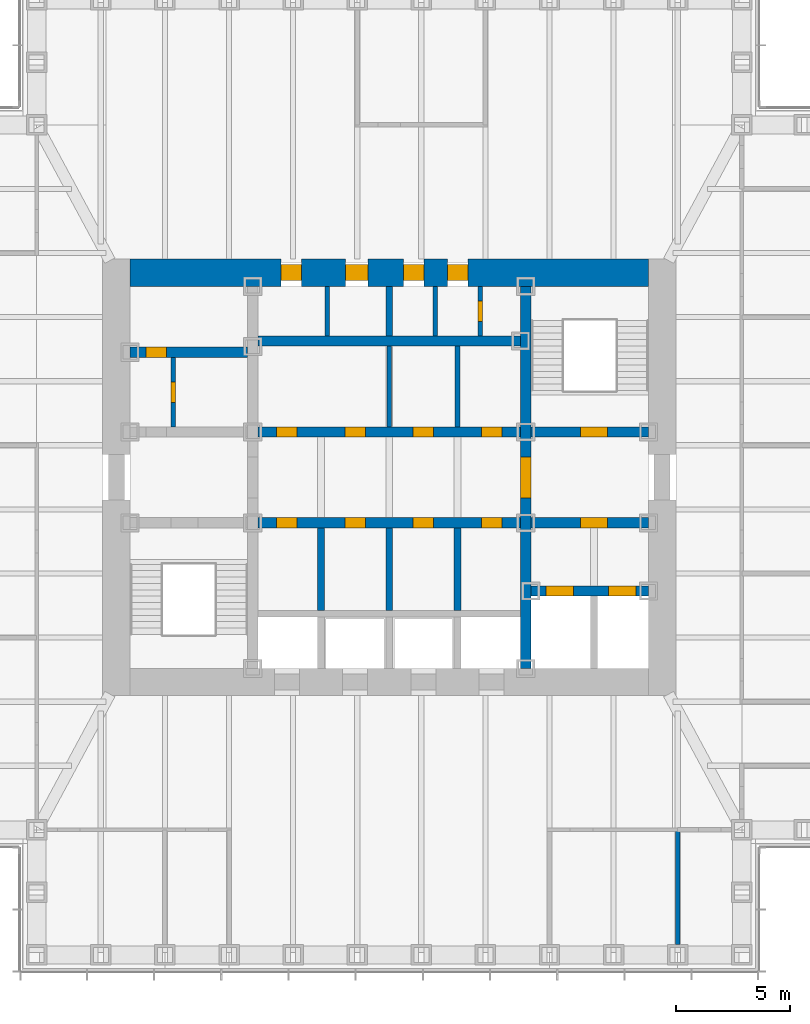
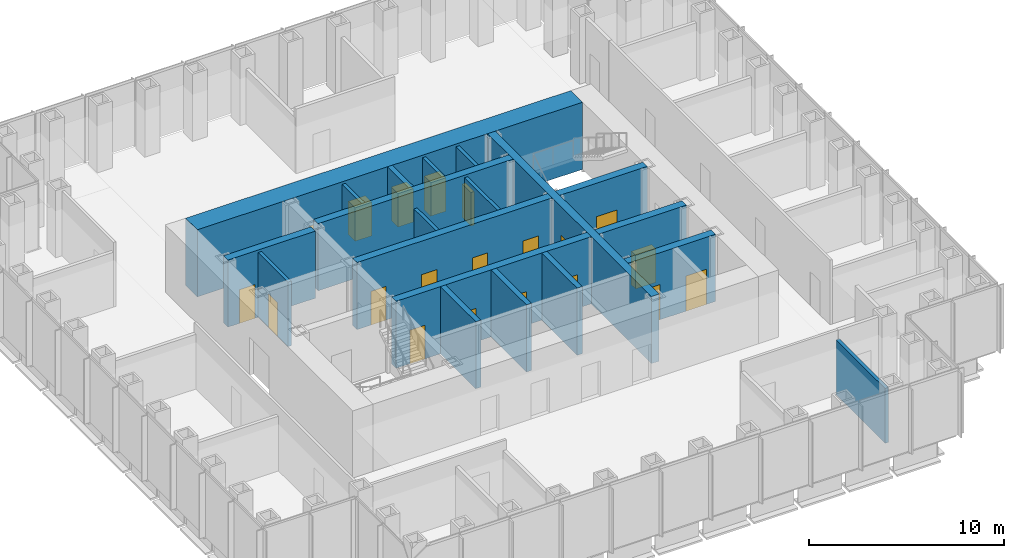
# One storey, part 9 of 16: 20 doors, 20 walls, 20 openings.
"""IFC4 building model written with IfcOpenShell, lengths in metres."""

from ifc_helpers import new_model, si_unit, direction, frame, frame_2d, origin, place, context, subcontext, project, spatial, rectangle, extrude, material, layer, layer_set, type_object, element, fill, save


model = new_model("IFC4")

# Units and contexts
model_context = context("Model", 3, precision=1e-05, world=origin(), true_north=direction((0.0, 1.0)))
body_context = subcontext(model_context, "Body", "Model", "MODEL_VIEW")
ifc_project = project(units=[si_unit("LENGTHUNIT", "METRE"), si_unit("AREAUNIT", "SQUARE_METRE"), si_unit("VOLUMEUNIT", "CUBIC_METRE"), si_unit("PLANEANGLEUNIT", "RADIAN"), si_unit("MASSUNIT", "GRAM", prefix="KILO")], contexts=[model_context])

# Site, building, storey
site_placement = place(None, origin())
site = spatial("IfcSite", under=ifc_project, at=site_placement, CompositionType="ELEMENT")
building_placement = place(site_placement, origin())
building = spatial("IfcBuilding", under=site, at=building_placement, Name="Daluyong Arena Tower", CompositionType="ELEMENT")
storey_placement = place(building_placement, frame((0.0, 0.0, 202.300048828125)))
storey = spatial("IfcBuildingStorey", under=building, at=storey_placement, Name="L45", CompositionType="ELEMENT", Elevation=202.300048828125)

# Wall, opening, door
ifc_material_1 = material(Name="Concrete fc' 45 MPa", Category="concrete")
ifc_layer_1 = layer(ifc_material_1, 0.449951171875)
ifc_layer_set_1 = layer_set([ifc_layer_1], Name="Concrete fc' 45 MPa")
wall_type_1 = type_object("IfcWallType", Name="Core inner wall 450", PredefinedType="SHEAR", material=ifc_layer_set_1)
wall_1_placement = place(storey_placement, frame((62.0, 71.60009765625, 0.0), z_axis=(0.0, 0.0, 1.0), x_axis=(0.0, 1.0, 0.0)))
wall_1 = element("IfcWall", 1, at=wall_1_placement, inside=storey, type_object=wall_type_1, Name="core inner wall at L45", PredefinedType="SHEAR", context=body_context, shape_type="SweptSolid", body=[
    extrude(rectangle(XDim=16.7998046875, YDim=0.449951171875, at=frame_2d((8.39990234375, 0.0))), origin(), (0.0, 0.0, 1.0), 4.199951171875),
])
opening_1_placement = place(wall_1_placement, frame((7.5, 0.0, 0.0)))
opening_1 = element("IfcOpeningElement", 2, at=opening_1_placement, cuts=wall_1, Name="Opening 45022", PredefinedType="OPENING", context=body_context, shape_type="SweptSolid", body=[
    extrude(rectangle(XDim=1.800048828125, YDim=2.39990234375, at=frame_2d((0.89990234375, 1.199951171875))), frame((0.0, 0.23486328125, 0.0), z_axis=(0.0, -1.0, 0.0), x_axis=(1.0, 0.0, 0.0)), (0.0, 0.0, 1.0), 0.469970703125),
])
ifc_material_2 = material(Name="Steel door, fire rated", Category="steel")
door_type_1 = type_object("IfcDoorType", Name="Lift lobby opening door 1800", OperationType="DOUBLE_DOOR_SINGLE_SWING", PredefinedType="DOOR", material=ifc_material_2)
door_1_placement = place(opening_1_placement, origin())
door_1 = element("IfcDoor", 3, at=door_1_placement, inside=storey, type_object=door_type_1, Name="lift lobby door east 45022", OperationType="DOUBLE_DOOR_SINGLE_SWING", OverallHeight=2.39990234375, OverallWidth=1.800048828125, PredefinedType="DOOR", context=body_context, shape_type="SweptSolid", body=[
    extrude(rectangle(XDim=1.800048828125, YDim=2.39990234375, at=frame_2d((0.89990234375, 1.199951171875))), frame((0.0, 0.224609375, 0.0), z_axis=(0.0, -1.0, 0.0), x_axis=(1.0, 0.0, 0.0)), (0.0, 0.0, 1.0), 0.449462890625),
])
fill(opening_1, door_1)

wall_2_placement = place(storey_placement, frame((44.60009765625, 85.5, 0.0), z_axis=(0.0, 0.0, 1.0), x_axis=(1.0, 0.0, 0.0)))
wall_2 = element("IfcWall", 4, at=wall_2_placement, inside=storey, type_object=wall_type_1, Name="core inner wall at L45", PredefinedType="SHEAR", context=body_context, shape_type="SweptSolid", body=[
    extrude(rectangle(XDim=5.1748046875, YDim=0.449951171875, at=frame_2d((2.58740234375, 0.0))), origin(), (0.0, 0.0, 1.0), 4.199951171875),
])
opening_2_placement = place(wall_2_placement, frame((0.699951171875, 0.0, 0.0)))
opening_2 = element("IfcOpeningElement", 5, at=opening_2_placement, cuts=wall_2, Name="Opening 45003", PredefinedType="OPENING", context=body_context, shape_type="SweptSolid", body=[
    extrude(rectangle(XDim=0.89990234375, YDim=2.10009765625, at=frame_2d((0.449951171875, 1.050048828125))), frame((0.0, 0.23486328125, 0.0), z_axis=(0.0, -1.0, 0.0), x_axis=(1.0, 0.0, 0.0)), (0.0, 0.0, 1.0), 0.469970703125),
])
ifc_material_3 = material(Name="Timber door", Category="wood")
door_type_2 = type_object("IfcDoorType", Name="Toilet door 900", OperationType="SINGLE_SWING_RIGHT", PredefinedType="DOOR", material=ifc_material_3)
door_2_placement = place(opening_2_placement, origin())
door_2 = element("IfcDoor", 6, at=door_2_placement, inside=storey, type_object=door_type_2, Name="female toilet door 45003", OperationType="SINGLE_SWING_RIGHT", OverallHeight=2.10009765625, OverallWidth=0.89990234375, PredefinedType="DOOR", context=body_context, shape_type="SweptSolid", body=[
    extrude(rectangle(XDim=0.89990234375, YDim=2.10009765625, at=frame_2d((0.449951171875, 1.050048828125))), frame((0.0, 0.224609375, 0.0), z_axis=(0.0, -1.0, 0.0), x_axis=(1.0, 0.0, 0.0)), (0.0, 0.0, 1.0), 0.449462890625),
])
fill(opening_2, door_2)

# Wall, openings, doors
wall_3_placement = place(storey_placement, frame((62.22509765625, 75.0, 0.0), z_axis=(0.0, 0.0, 1.0), x_axis=(1.0, 0.0, 0.0)))
wall_3 = element("IfcWall", 7, at=wall_3_placement, inside=storey, type_object=wall_type_1, Name="core inner wall at L45", PredefinedType="SHEAR", context=body_context, shape_type="SweptSolid", body=[
    extrude(rectangle(XDim=5.1748046875, YDim=0.449951171875, at=frame_2d((2.58740234375, 0.0))), origin(), (0.0, 0.0, 1.0), 4.199951171875),
])
opening_3_placement = place(wall_3_placement, frame((0.675048828125, 0.0, 0.0)))
opening_3 = element("IfcOpeningElement", 8, at=opening_3_placement, cuts=wall_3, Name="Opening 45028", PredefinedType="OPENING", context=body_context, shape_type="SweptSolid", body=[
    extrude(rectangle(XDim=1.199951171875, YDim=2.199951171875, at=frame_2d((0.60009765625, 1.10009765625))), frame((0.0, 0.23486328125, 0.0), z_axis=(0.0, -1.0, 0.0), x_axis=(1.0, 0.0, 0.0)), (0.0, 0.0, 1.0), 0.469970703125),
])
opening_4_placement = place(wall_3_placement, frame((3.425048828125, 0.0, 0.0)))
opening_4 = element("IfcOpeningElement", 9, at=opening_4_placement, cuts=wall_3, Name="Opening 45029", PredefinedType="OPENING", context=body_context, shape_type="SweptSolid", body=[
    extrude(rectangle(XDim=1.199951171875, YDim=2.199951171875, at=frame_2d((0.60009765625, 1.10009765625))), frame((0.0, 0.23486328125, 0.0), z_axis=(0.0, -1.0, 0.0), x_axis=(1.0, 0.0, 0.0)), (0.0, 0.0, 1.0), 0.469970703125),
])
ifc_material_4 = material(Name="Steel door, fire rated", Category="steel")
door_type_3 = type_object("IfcDoorType", Name="Firefighting lift landing door 1200", OperationType="SLIDING_TO_LEFT", PredefinedType="DOOR", material=ifc_material_4)
door_3_placement = place(opening_3_placement, origin())
door_3 = element("IfcDoor", 10, at=door_3_placement, inside=storey, type_object=door_type_3, Name="firefighting lift landing door F1 45028", OperationType="SLIDING_TO_LEFT", OverallHeight=2.199951171875, OverallWidth=1.199951171875, PredefinedType="DOOR", context=body_context, shape_type="SweptSolid", body=[
    extrude(rectangle(XDim=1.199951171875, YDim=2.199951171875, at=frame_2d((0.60009765625, 1.10009765625))), frame((0.0, 0.224609375, 0.0), z_axis=(0.0, -1.0, 0.0), x_axis=(1.0, 0.0, 0.0)), (0.0, 0.0, 1.0), 0.449462890625),
])
fill(opening_3, door_3)
door_4_placement = place(opening_4_placement, origin())
door_4 = element("IfcDoor", 11, at=door_4_placement, inside=storey, type_object=door_type_3, Name="firefighting lift landing door F2 45029", OperationType="SLIDING_TO_LEFT", OverallHeight=2.199951171875, OverallWidth=1.199951171875, PredefinedType="DOOR", context=body_context, shape_type="SweptSolid", body=[
    extrude(rectangle(XDim=1.199951171875, YDim=2.199951171875, at=frame_2d((0.60009765625, 1.10009765625))), frame((0.0, 0.224609375, 0.0), z_axis=(0.0, -1.0, 0.0), x_axis=(1.0, 0.0, 0.0)), (0.0, 0.0, 1.0), 0.449462890625),
])
fill(opening_4, door_4)

# Wall, opening, door
wall_4_placement = place(storey_placement, frame((62.22509765625, 78.0, 0.0), z_axis=(0.0, 0.0, 1.0), x_axis=(1.0, 0.0, 0.0)))
wall_4 = element("IfcWall", 12, at=wall_4_placement, inside=storey, type_object=wall_type_1, Name="core inner wall at L45", PredefinedType="SHEAR", context=body_context, shape_type="SweptSolid", body=[
    extrude(rectangle(XDim=5.1748046875, YDim=0.449951171875, at=frame_2d((2.58740234375, 0.0))), origin(), (0.0, 0.0, 1.0), 4.199951171875),
])
opening_5_placement = place(wall_4_placement, frame((2.175048828125, 0.0, 0.0)))
opening_5 = element("IfcOpeningElement", 13, at=opening_5_placement, cuts=wall_4, Name="Opening 45023", PredefinedType="OPENING", context=body_context, shape_type="SweptSolid", body=[
    extrude(rectangle(XDim=1.199951171875, YDim=2.10009765625, at=frame_2d((0.60009765625, 1.050048828125))), frame((0.0, 0.23486328125, 0.0), z_axis=(0.0, -1.0, 0.0), x_axis=(1.0, 0.0, 0.0)), (0.0, 0.0, 1.0), 0.469970703125),
])
ifc_material_5 = material(Name="Steel door, fire rated", Category="steel")
door_type_4 = type_object("IfcDoorType", Name="Firefighting lobby door 1200", OperationType="SINGLE_SWING_RIGHT", PredefinedType="DOOR", material=ifc_material_5)
door_5_placement = place(opening_5_placement, origin())
door_5 = element("IfcDoor", 14, at=door_5_placement, inside=storey, type_object=door_type_4, Name="firefighting lobby door 45023", OperationType="SINGLE_SWING_RIGHT", OverallHeight=2.10009765625, OverallWidth=1.199951171875, PredefinedType="DOOR", context=body_context, shape_type="SweptSolid", body=[
    extrude(rectangle(XDim=1.199951171875, YDim=2.10009765625, at=frame_2d((0.60009765625, 1.050048828125))), frame((0.0, 0.224609375, 0.0), z_axis=(0.0, -1.0, 0.0), x_axis=(1.0, 0.0, 0.0)), (0.0, 0.0, 1.0), 0.449462890625),
])
fill(opening_5, door_5)

wall_5_placement = place(storey_placement, frame((62.22509765625, 82.0, 0.0), z_axis=(0.0, 0.0, 1.0), x_axis=(1.0, 0.0, 0.0)))
wall_5 = element("IfcWall", 15, at=wall_5_placement, inside=storey, type_object=wall_type_1, Name="core inner wall at L45", PredefinedType="SHEAR", context=body_context, shape_type="SweptSolid", body=[
    extrude(rectangle(XDim=5.1748046875, YDim=0.449951171875, at=frame_2d((2.58740234375, 0.0))), origin(), (0.0, 0.0, 1.0), 4.199951171875),
])
opening_6_placement = place(wall_5_placement, frame((2.175048828125, 0.0, 0.0)))
opening_6 = element("IfcOpeningElement", 16, at=opening_6_placement, cuts=wall_5, Name="Opening 45018", PredefinedType="OPENING", context=body_context, shape_type="SweptSolid", body=[
    extrude(rectangle(XDim=1.199951171875, YDim=2.10009765625, at=frame_2d((0.60009765625, 1.050048828125))), frame((0.0, 0.23486328125, 0.0), z_axis=(0.0, -1.0, 0.0), x_axis=(1.0, 0.0, 0.0)), (0.0, 0.0, 1.0), 0.469970703125),
])
ifc_material_6 = material(Name="Steel door, fire rated", Category="steel")
door_type_5 = type_object("IfcDoorType", Name="Stair door 1200", OperationType="SINGLE_SWING_LEFT", PredefinedType="DOOR", material=ifc_material_6)
door_6_placement = place(opening_6_placement, origin())
door_6 = element("IfcDoor", 17, at=door_6_placement, inside=storey, type_object=door_type_5, Name="stair B door 45018", OperationType="SINGLE_SWING_LEFT", OverallHeight=2.10009765625, OverallWidth=1.199951171875, PredefinedType="DOOR", context=body_context, shape_type="SweptSolid", body=[
    extrude(rectangle(XDim=1.199951171875, YDim=2.10009765625, at=frame_2d((0.60009765625, 1.050048828125))), frame((0.0, 0.224609375, 0.0), z_axis=(0.0, -1.0, 0.0), x_axis=(1.0, 0.0, 0.0)), (0.0, 0.0, 1.0), 0.449462890625),
])
fill(opening_6, door_6)

# Wall, openings, doors
wall_6_placement = place(storey_placement, frame((50.22509765625, 78.0, 0.0), z_axis=(0.0, 0.0, 1.0), x_axis=(1.0, 0.0, 0.0)))
wall_6 = element("IfcWall", 18, at=wall_6_placement, inside=storey, type_object=wall_type_1, Name="core inner wall at L45", PredefinedType="SHEAR", context=body_context, shape_type="SweptSolid", body=[
    extrude(rectangle(XDim=11.5498046875, YDim=0.449951171875, at=frame_2d((5.77490234375, 0.0))), origin(), (0.0, 0.0, 1.0), 4.199951171875),
])
opening_7_placement = place(wall_6_placement, frame((0.824951171875, 0.0, 0.0)))
opening_7 = element("IfcOpeningElement", 19, at=opening_7_placement, cuts=wall_6, Name="Opening 45009", PredefinedType="OPENING", context=body_context, shape_type="SweptSolid", body=[
    extrude(rectangle(XDim=0.89990234375, YDim=2.10009765625, at=frame_2d((0.449951171875, 1.050048828125))), frame((0.0, 0.23486328125, 0.0), z_axis=(0.0, -1.0, 0.0), x_axis=(1.0, 0.0, 0.0)), (0.0, 0.0, 1.0), 0.469970703125),
])
opening_8_placement = place(wall_6_placement, frame((3.824951171875, 0.0, 0.0)))
opening_8 = element("IfcOpeningElement", 20, at=opening_8_placement, cuts=wall_6, Name="Opening 45010", PredefinedType="OPENING", context=body_context, shape_type="SweptSolid", body=[
    extrude(rectangle(XDim=0.89990234375, YDim=2.10009765625, at=frame_2d((0.449951171875, 1.050048828125))), frame((0.0, 0.23486328125, 0.0), z_axis=(0.0, -1.0, 0.0), x_axis=(1.0, 0.0, 0.0)), (0.0, 0.0, 1.0), 0.469970703125),
])
opening_9_placement = place(wall_6_placement, frame((6.824951171875, 0.0, 0.0)))
opening_9 = element("IfcOpeningElement", 21, at=opening_9_placement, cuts=wall_6, Name="Opening 45011", PredefinedType="OPENING", context=body_context, shape_type="SweptSolid", body=[
    extrude(rectangle(XDim=0.89990234375, YDim=2.10009765625, at=frame_2d((0.449951171875, 1.050048828125))), frame((0.0, 0.23486328125, 0.0), z_axis=(0.0, -1.0, 0.0), x_axis=(1.0, 0.0, 0.0)), (0.0, 0.0, 1.0), 0.469970703125),
])
opening_10_placement = place(wall_6_placement, frame((9.824951171875, 0.0, 0.0)))
opening_10 = element("IfcOpeningElement", 22, at=opening_10_placement, cuts=wall_6, Name="Opening 45012", PredefinedType="OPENING", context=body_context, shape_type="SweptSolid", body=[
    extrude(rectangle(XDim=0.89990234375, YDim=2.10009765625, at=frame_2d((0.449951171875, 1.050048828125))), frame((0.0, 0.23486328125, 0.0), z_axis=(0.0, -1.0, 0.0), x_axis=(1.0, 0.0, 0.0)), (0.0, 0.0, 1.0), 0.469970703125),
])
ifc_material_7 = material(Name="Steel door, fire rated", Category="steel")
door_type_6 = type_object("IfcDoorType", Name="Core room door 900", OperationType="SINGLE_SWING_LEFT", PredefinedType="DOOR", material=ifc_material_7)
door_7_placement = place(opening_7_placement, origin())
door_7 = element("IfcDoor", 23, at=door_7_placement, inside=storey, type_object=door_type_6, Name="print room door 45009", OperationType="SINGLE_SWING_LEFT", OverallHeight=2.10009765625, OverallWidth=0.89990234375, PredefinedType="DOOR", context=body_context, shape_type="SweptSolid", body=[
    extrude(rectangle(XDim=0.89990234375, YDim=2.10009765625, at=frame_2d((0.449951171875, 1.050048828125))), frame((0.0, 0.224609375, 0.0), z_axis=(0.0, -1.0, 0.0), x_axis=(1.0, 0.0, 0.0)), (0.0, 0.0, 1.0), 0.449462890625),
])
fill(opening_7, door_7)
door_8_placement = place(opening_10_placement, origin())
door_8 = element("IfcDoor", 24, at=door_8_placement, inside=storey, type_object=door_type_6, Name="staff pantry door 45012", OperationType="SINGLE_SWING_LEFT", OverallHeight=2.10009765625, OverallWidth=0.89990234375, PredefinedType="DOOR", context=body_context, shape_type="SweptSolid", body=[
    extrude(rectangle(XDim=0.89990234375, YDim=2.10009765625, at=frame_2d((0.449951171875, 1.050048828125))), frame((0.0, 0.224609375, 0.0), z_axis=(0.0, -1.0, 0.0), x_axis=(1.0, 0.0, 0.0)), (0.0, 0.0, 1.0), 0.449462890625),
])
fill(opening_10, door_8)
ifc_material_8 = material(Name="Steel door, fire rated", Category="steel")
door_type_7 = type_object("IfcDoorType", Name="Core store door 900", OperationType="SINGLE_SWING_LEFT", PredefinedType="DOOR", material=ifc_material_8)
door_9_placement = place(opening_9_placement, origin())
door_9 = element("IfcDoor", 25, at=door_9_placement, inside=storey, type_object=door_type_7, Name="tenant store door 45011", OperationType="SINGLE_SWING_LEFT", OverallHeight=2.10009765625, OverallWidth=0.89990234375, PredefinedType="DOOR", context=body_context, shape_type="SweptSolid", body=[
    extrude(rectangle(XDim=0.89990234375, YDim=2.10009765625, at=frame_2d((0.449951171875, 1.050048828125))), frame((0.0, 0.224609375, 0.0), z_axis=(0.0, -1.0, 0.0), x_axis=(1.0, 0.0, 0.0)), (0.0, 0.0, 1.0), 0.449462890625),
])
fill(opening_9, door_9)
ifc_material_9 = material(Name="Steel door, fire rated", Category="steel")
door_type_8 = type_object("IfcDoorType", Name="Plant room door 900", OperationType="SINGLE_SWING_LEFT", PredefinedType="DOOR", material=ifc_material_9)
door_10_placement = place(opening_8_placement, origin())
door_10 = element("IfcDoor", 26, at=door_10_placement, inside=storey, type_object=door_type_8, Name="comms room door 45010", OperationType="SINGLE_SWING_LEFT", OverallHeight=2.10009765625, OverallWidth=0.89990234375, PredefinedType="DOOR", context=body_context, shape_type="SweptSolid", body=[
    extrude(rectangle(XDim=0.89990234375, YDim=2.10009765625, at=frame_2d((0.449951171875, 1.050048828125))), frame((0.0, 0.224609375, 0.0), z_axis=(0.0, -1.0, 0.0), x_axis=(1.0, 0.0, 0.0)), (0.0, 0.0, 1.0), 0.449462890625),
])
fill(opening_8, door_10)

wall_7_placement = place(storey_placement, frame((50.22509765625, 82.0, 0.0), z_axis=(0.0, 0.0, 1.0), x_axis=(1.0, 0.0, 0.0)))
wall_7 = element("IfcWall", 27, at=wall_7_placement, inside=storey, type_object=wall_type_1, Name="core inner wall at L45", PredefinedType="SHEAR", context=body_context, shape_type="SweptSolid", body=[
    extrude(rectangle(XDim=11.5498046875, YDim=0.449951171875, at=frame_2d((5.77490234375, 0.0))), origin(), (0.0, 0.0, 1.0), 4.199951171875),
])
opening_11_placement = place(wall_7_placement, frame((0.824951171875, 0.0, 0.0)))
opening_11 = element("IfcOpeningElement", 28, at=opening_11_placement, cuts=wall_7, Name="Opening 45013", PredefinedType="OPENING", context=body_context, shape_type="SweptSolid", body=[
    extrude(rectangle(XDim=0.89990234375, YDim=2.10009765625, at=frame_2d((0.449951171875, 1.050048828125))), frame((0.0, 0.23486328125, 0.0), z_axis=(0.0, -1.0, 0.0), x_axis=(1.0, 0.0, 0.0)), (0.0, 0.0, 1.0), 0.469970703125),
])
opening_12_placement = place(wall_7_placement, frame((3.824951171875, 0.0, 0.0)))
opening_12 = element("IfcOpeningElement", 29, at=opening_12_placement, cuts=wall_7, Name="Opening 45014", PredefinedType="OPENING", context=body_context, shape_type="SweptSolid", body=[
    extrude(rectangle(XDim=0.89990234375, YDim=2.10009765625, at=frame_2d((0.449951171875, 1.050048828125))), frame((0.0, 0.23486328125, 0.0), z_axis=(0.0, -1.0, 0.0), x_axis=(1.0, 0.0, 0.0)), (0.0, 0.0, 1.0), 0.469970703125),
])
opening_13_placement = place(wall_7_placement, frame((6.824951171875, 0.0, 0.0)))
opening_13 = element("IfcOpeningElement", 30, at=opening_13_placement, cuts=wall_7, Name="Opening 45015", PredefinedType="OPENING", context=body_context, shape_type="SweptSolid", body=[
    extrude(rectangle(XDim=0.89990234375, YDim=2.10009765625, at=frame_2d((0.449951171875, 1.050048828125))), frame((0.0, 0.23486328125, 0.0), z_axis=(0.0, -1.0, 0.0), x_axis=(1.0, 0.0, 0.0)), (0.0, 0.0, 1.0), 0.469970703125),
])
opening_14_placement = place(wall_7_placement, frame((9.824951171875, 0.0, 0.0)))
opening_14 = element("IfcOpeningElement", 31, at=opening_14_placement, cuts=wall_7, Name="Opening 45016", PredefinedType="OPENING", context=body_context, shape_type="SweptSolid", body=[
    extrude(rectangle(XDim=0.89990234375, YDim=2.10009765625, at=frame_2d((0.449951171875, 1.050048828125))), frame((0.0, 0.23486328125, 0.0), z_axis=(0.0, -1.0, 0.0), x_axis=(1.0, 0.0, 0.0)), (0.0, 0.0, 1.0), 0.469970703125),
])
door_11_placement = place(opening_14_placement, origin())
door_11 = element("IfcDoor", 32, at=door_11_placement, inside=storey, type_object=door_type_6, Name="parcel room door 45016", OperationType="SINGLE_SWING_LEFT", OverallHeight=2.10009765625, OverallWidth=0.89990234375, PredefinedType="DOOR", context=body_context, shape_type="SweptSolid", body=[
    extrude(rectangle(XDim=0.89990234375, YDim=2.10009765625, at=frame_2d((0.449951171875, 1.050048828125))), frame((0.0, 0.224609375, 0.0), z_axis=(0.0, -1.0, 0.0), x_axis=(1.0, 0.0, 0.0)), (0.0, 0.0, 1.0), 0.449462890625),
])
fill(opening_14, door_11)
door_12_placement = place(opening_11_placement, origin())
door_12 = element("IfcDoor", 33, at=door_12_placement, inside=storey, type_object=door_type_7, Name="facilities store door 45013", OperationType="SINGLE_SWING_LEFT", OverallHeight=2.10009765625, OverallWidth=0.89990234375, PredefinedType="DOOR", context=body_context, shape_type="SweptSolid", body=[
    extrude(rectangle(XDim=0.89990234375, YDim=2.10009765625, at=frame_2d((0.449951171875, 1.050048828125))), frame((0.0, 0.224609375, 0.0), z_axis=(0.0, -1.0, 0.0), x_axis=(1.0, 0.0, 0.0)), (0.0, 0.0, 1.0), 0.449462890625),
])
fill(opening_11, door_12)
door_13_placement = place(opening_12_placement, origin())
door_13 = element("IfcDoor", 34, at=door_13_placement, inside=storey, type_object=door_type_7, Name="facilities store door 45014", OperationType="SINGLE_SWING_LEFT", OverallHeight=2.10009765625, OverallWidth=0.89990234375, PredefinedType="DOOR", context=body_context, shape_type="SweptSolid", body=[
    extrude(rectangle(XDim=0.89990234375, YDim=2.10009765625, at=frame_2d((0.449951171875, 1.050048828125))), frame((0.0, 0.224609375, 0.0), z_axis=(0.0, -1.0, 0.0), x_axis=(1.0, 0.0, 0.0)), (0.0, 0.0, 1.0), 0.449462890625),
])
fill(opening_12, door_13)
door_14_placement = place(opening_13_placement, origin())
door_14 = element("IfcDoor", 35, at=door_14_placement, inside=storey, type_object=door_type_7, Name="stationery store door 45015", OperationType="SINGLE_SWING_LEFT", OverallHeight=2.10009765625, OverallWidth=0.89990234375, PredefinedType="DOOR", context=body_context, shape_type="SweptSolid", body=[
    extrude(rectangle(XDim=0.89990234375, YDim=2.10009765625, at=frame_2d((0.449951171875, 1.050048828125))), frame((0.0, 0.224609375, 0.0), z_axis=(0.0, -1.0, 0.0), x_axis=(1.0, 0.0, 0.0)), (0.0, 0.0, 1.0), 0.449462890625),
])
fill(opening_13, door_14)

# Wall
wall_8_placement = place(storey_placement, frame((50.22509765625, 86.0, 0.0), z_axis=(0.0, 0.0, 1.0), x_axis=(1.0, 0.0, 0.0)))
element("IfcWall", 36, at=wall_8_placement, inside=storey, type_object=wall_type_1, Name="core inner wall at L45", PredefinedType="SHEAR", context=body_context, shape_type="SweptSolid", body=[
    extrude(rectangle(XDim=11.5498046875, YDim=0.449951171875, at=frame_2d((5.77490234375, 0.0))), origin(), (0.0, 0.0, 1.0), 4.199951171875),
])

# Wall, openings, doors
ifc_material_10 = material(Name="Concrete fc' 60 MPa", Category="concrete")
ifc_layer_2 = layer(ifc_material_10, 1.199951171875)
ifc_layer_set_2 = layer_set([ifc_layer_2], Name="Concrete fc' 60 MPa")
wall_type_2 = type_object("IfcWallType", Name="Core wall 1200", PredefinedType="SHEAR", material=ifc_layer_set_2)
wall_9_placement = place(storey_placement, frame((44.60009765625, 89.0, 0.0), z_axis=(0.0, 0.0, 1.0), x_axis=(1.0, 0.0, 0.0)))
wall_9 = element("IfcWall", 37, at=wall_9_placement, inside=storey, type_object=wall_type_2, Name="core wall at L45", PredefinedType="SHEAR", context=body_context, shape_type="SweptSolid", body=[
    extrude(rectangle(XDim=22.7998046875, YDim=1.199951171875, at=frame_2d((11.39990234375, 0.0))), origin(), (0.0, 0.0, 1.0), 4.199951171875),
])
opening_15_placement = place(wall_9_placement, frame((9.47509765625, 0.0, 0.0)))
opening_15 = element("IfcOpeningElement", 38, at=opening_15_placement, cuts=wall_9, Name="Opening 45004", PredefinedType="OPENING", context=body_context, shape_type="SweptSolid", body=[
    extrude(rectangle(XDim=1.0, YDim=2.10009765625, at=frame_2d((0.5, 1.050048828125))), frame((0.0, 0.60986328125, 0.0), z_axis=(0.0, -1.0, 0.0), x_axis=(1.0, 0.0, 0.0)), (0.0, 0.0, 1.0), 1.219970703125),
])
opening_16_placement = place(wall_9_placement, frame((6.64990234375, 0.0, 0.0)))
opening_16 = element("IfcOpeningElement", 39, at=opening_16_placement, cuts=wall_9, Name="Opening 45005", PredefinedType="OPENING", context=body_context, shape_type="SweptSolid", body=[
    extrude(rectangle(XDim=0.89990234375, YDim=2.10009765625, at=frame_2d((0.449951171875, 1.050048828125))), frame((0.0, 0.60986328125, 0.0), z_axis=(0.0, -1.0, 0.0), x_axis=(1.0, 0.0, 0.0)), (0.0, 0.0, 1.0), 1.219970703125),
])
opening_17_placement = place(wall_9_placement, frame((12.02490234375, 0.0, 0.0)))
opening_17 = element("IfcOpeningElement", 40, at=opening_17_placement, cuts=wall_9, Name="Opening 45006", PredefinedType="OPENING", context=body_context, shape_type="SweptSolid", body=[
    extrude(rectangle(XDim=0.89990234375, YDim=2.10009765625, at=frame_2d((0.449951171875, 1.050048828125))), frame((0.0, 0.60986328125, 0.0), z_axis=(0.0, -1.0, 0.0), x_axis=(1.0, 0.0, 0.0)), (0.0, 0.0, 1.0), 1.219970703125),
])
opening_18_placement = place(wall_9_placement, frame((13.96240234375, 0.0, 0.0)))
opening_18 = element("IfcOpeningElement", 41, at=opening_18_placement, cuts=wall_9, Name="Opening 45007", PredefinedType="OPENING", context=body_context, shape_type="SweptSolid", body=[
    extrude(rectangle(XDim=0.89990234375, YDim=2.10009765625, at=frame_2d((0.449951171875, 1.050048828125))), frame((0.0, 0.60986328125, 0.0), z_axis=(0.0, -1.0, 0.0), x_axis=(1.0, 0.0, 0.0)), (0.0, 0.0, 1.0), 1.219970703125),
])
ifc_material_11 = material(Name="Timber door", Category="wood")
door_type_9 = type_object("IfcDoorType", Name="Accessible toilet door 1000", OperationType="SINGLE_SWING_LEFT", PredefinedType="DOOR", material=ifc_material_11)
door_15_placement = place(opening_15_placement, origin())
door_15 = element("IfcDoor", 42, at=door_15_placement, inside=storey, type_object=door_type_9, Name="accessible toilet door 45004", OperationType="SINGLE_SWING_LEFT", OverallHeight=2.10009765625, OverallWidth=1.0, PredefinedType="DOOR", context=body_context, shape_type="SweptSolid", body=[
    extrude(rectangle(XDim=1.0, YDim=2.10009765625, at=frame_2d((0.5, 1.050048828125))), frame((0.0, 0.35009765625, 0.0), z_axis=(0.0, -1.0, 0.0), x_axis=(1.0, 0.0, 0.0)), (0.0, 0.0, 1.0), 0.699951171875),
])
fill(opening_15, door_15)
door_16_placement = place(opening_16_placement, origin())
door_16 = element("IfcDoor", 43, at=door_16_placement, inside=storey, type_object=door_type_6, Name="tea point door 45005", OperationType="SINGLE_SWING_LEFT", OverallHeight=2.10009765625, OverallWidth=0.89990234375, PredefinedType="DOOR", context=body_context, shape_type="SweptSolid", body=[
    extrude(rectangle(XDim=0.89990234375, YDim=2.10009765625, at=frame_2d((0.449951171875, 1.050048828125))), frame((0.0, 0.35009765625, 0.0), z_axis=(0.0, -1.0, 0.0), x_axis=(1.0, 0.0, 0.0)), (0.0, 0.0, 1.0), 0.699951171875),
])
fill(opening_16, door_16)
door_17_placement = place(opening_18_placement, origin())
door_17 = element("IfcDoor", 44, at=door_17_placement, inside=storey, type_object=door_type_6, Name="mail room door 45007", OperationType="SINGLE_SWING_LEFT", OverallHeight=2.10009765625, OverallWidth=0.89990234375, PredefinedType="DOOR", context=body_context, shape_type="SweptSolid", body=[
    extrude(rectangle(XDim=0.89990234375, YDim=2.10009765625, at=frame_2d((0.449951171875, 1.050048828125))), frame((0.0, 0.35009765625, 0.0), z_axis=(0.0, -1.0, 0.0), x_axis=(1.0, 0.0, 0.0)), (0.0, 0.0, 1.0), 0.699951171875),
])
fill(opening_18, door_17)
door_18_placement = place(opening_17_placement, origin())
door_18 = element("IfcDoor", 45, at=door_18_placement, inside=storey, type_object=door_type_7, Name="furniture store door 45006", OperationType="SINGLE_SWING_LEFT", OverallHeight=2.10009765625, OverallWidth=0.89990234375, PredefinedType="DOOR", context=body_context, shape_type="SweptSolid", body=[
    extrude(rectangle(XDim=0.89990234375, YDim=2.10009765625, at=frame_2d((0.449951171875, 1.050048828125))), frame((0.0, 0.35009765625, 0.0), z_axis=(0.0, -1.0, 0.0), x_axis=(1.0, 0.0, 0.0)), (0.0, 0.0, 1.0), 0.699951171875),
])
fill(opening_17, door_18)

# Wall, opening, door
ifc_material_12 = material(Name="Concrete block partition, fire rated", Category="concrete")
ifc_layer_3 = layer(ifc_material_12, 0.199951171875)
ifc_layer_set_3 = layer_set([ifc_layer_3], Name="Concrete block partition, fire rated")
wall_type_3 = type_object("IfcWallType", Name="Fire-rated partition 200", PredefinedType="PARTITIONING", material=ifc_layer_set_3)
wall_10_placement = place(storey_placement, frame((46.5, 82.22509765625, 0.0), z_axis=(0.0, 0.0, 1.0), x_axis=(0.0, 1.0, 0.0)))
wall_10 = element("IfcWall", 46, at=wall_10_placement, inside=storey, type_object=wall_type_3, Name="toilet lobby partition at L45", PredefinedType="PARTITIONING", context=body_context, shape_type="SweptSolid", body=[
    extrude(rectangle(XDim=3.0498046875, YDim=0.199951171875, at=frame_2d((1.52490234375, 0.0))), origin(), (0.0, 0.0, 1.0), 4.0400390625),
])
opening_19_placement = place(wall_10_placement, frame((1.074951171875, 0.0, 0.0)))
opening_19 = element("IfcOpeningElement", 47, at=opening_19_placement, cuts=wall_10, Name="Opening 45002", PredefinedType="OPENING", context=body_context, shape_type="SweptSolid", body=[
    extrude(rectangle(XDim=0.89990234375, YDim=2.10009765625, at=frame_2d((0.449951171875, 1.050048828125))), frame((0.0, 0.10986328125, 0.0), z_axis=(0.0, -1.0, 0.0), x_axis=(1.0, 0.0, 0.0)), (0.0, 0.0, 1.0), 0.219970703125),
])
door_19_placement = place(opening_19_placement, origin())
door_19 = element("IfcDoor", 48, at=door_19_placement, inside=storey, type_object=door_type_2, Name="male toilet door 45002", OperationType="SINGLE_SWING_RIGHT", OverallHeight=2.10009765625, OverallWidth=0.89990234375, PredefinedType="DOOR", context=body_context, shape_type="SweptSolid", body=[
    extrude(rectangle(XDim=0.89990234375, YDim=2.10009765625, at=frame_2d((0.449951171875, 1.050048828125))), frame((0.0, 0.099609375, 0.0), z_axis=(0.0, -1.0, 0.0), x_axis=(1.0, 0.0, 0.0)), (0.0, 0.0, 1.0), 0.199462890625),
])
fill(opening_19, door_19)

# Wall
wall_11_placement = place(storey_placement, frame((53.27490234375, 86.22509765625, 0.0), z_axis=(0.0, 0.0, 1.0), x_axis=(0.0, 1.0, 0.0)))
element("IfcWall", 49, at=wall_11_placement, inside=storey, type_object=wall_type_3, Name="core room partition at L45", PredefinedType="PARTITIONING", context=body_context, shape_type="SweptSolid", body=[
    extrude(rectangle(XDim=2.1748046875, YDim=0.199951171875, at=frame_2d((1.08740234375, 0.0))), origin(), (0.0, 0.0, 1.0), 4.0400390625),
])

# Wall, opening, door
wall_12_placement = place(storey_placement, frame((60.0, 86.22509765625, 0.0), z_axis=(0.0, 0.0, 1.0), x_axis=(0.0, 1.0, 0.0)))
wall_12 = element("IfcWall", 50, at=wall_12_placement, inside=storey, type_object=wall_type_3, Name="electrical riser enclosure at L45", PredefinedType="PARTITIONING", context=body_context, shape_type="SweptSolid", body=[
    extrude(rectangle(XDim=2.1748046875, YDim=0.199951171875, at=frame_2d((1.08740234375, 0.0))), origin(), (0.0, 0.0, 1.0), 4.0400390625),
])
opening_20_placement = place(wall_12_placement, frame((0.637451171875, 0.0, 0.0)))
opening_20 = element("IfcOpeningElement", 51, at=opening_20_placement, cuts=wall_12, Name="Opening 45008", PredefinedType="OPENING", context=body_context, shape_type="SweptSolid", body=[
    extrude(rectangle(XDim=0.89990234375, YDim=2.10009765625, at=frame_2d((0.449951171875, 1.050048828125))), frame((0.0, 0.10986328125, 0.0), z_axis=(0.0, -1.0, 0.0), x_axis=(1.0, 0.0, 0.0)), (0.0, 0.0, 1.0), 0.219970703125),
])
ifc_material_13 = material(Name="Steel door, fire rated", Category="steel")
door_type_10 = type_object("IfcDoorType", Name="Riser door 900", OperationType="SINGLE_SWING_LEFT", PredefinedType="DOOR", material=ifc_material_13)
door_20_placement = place(opening_20_placement, origin())
door_20 = element("IfcDoor", 52, at=door_20_placement, inside=storey, type_object=door_type_10, Name="riser door 45008", OperationType="SINGLE_SWING_LEFT", OverallHeight=2.10009765625, OverallWidth=0.89990234375, PredefinedType="DOOR", context=body_context, shape_type="SweptSolid", body=[
    extrude(rectangle(XDim=0.89990234375, YDim=2.10009765625, at=frame_2d((0.449951171875, 1.050048828125))), frame((0.0, 0.099609375, 0.0), z_axis=(0.0, -1.0, 0.0), x_axis=(1.0, 0.0, 0.0)), (0.0, 0.0, 1.0), 0.199462890625),
])
fill(opening_20, door_20)

# Walls
wall_13_placement = place(storey_placement, frame((58.02490234375, 86.22509765625, 0.0), z_axis=(0.0, 0.0, 1.0), x_axis=(0.0, 1.0, 0.0)))
element("IfcWall", 53, at=wall_13_placement, inside=storey, type_object=wall_type_3, Name="core room partition at L45", PredefinedType="PARTITIONING", context=body_context, shape_type="SweptSolid", body=[
    extrude(rectangle(XDim=2.1748046875, YDim=0.199951171875, at=frame_2d((1.08740234375, 0.0))), origin(), (0.0, 0.0, 1.0), 4.0400390625),
])
wall_14_placement = place(storey_placement, frame((56.0, 82.22509765625, 0.0), z_axis=(0.0, 0.0, 1.0), x_axis=(0.0, 1.0, 0.0)))
element("IfcWall", 54, at=wall_14_placement, inside=storey, type_object=wall_type_3, Name="core room partition at L45", PredefinedType="PARTITIONING", context=body_context, shape_type="SweptSolid", body=[
    extrude(rectangle(XDim=3.5498046875, YDim=0.199951171875, at=frame_2d((1.77490234375, 0.0))), origin(), (0.0, 0.0, 1.0), 3.139892578125),
])
wall_15_placement = place(storey_placement, frame((59.0, 82.22509765625, 0.0), z_axis=(0.0, 0.0, 1.0), x_axis=(0.0, 1.0, 0.0)))
element("IfcWall", 55, at=wall_15_placement, inside=storey, type_object=wall_type_3, Name="core room partition at L45", PredefinedType="PARTITIONING", context=body_context, shape_type="SweptSolid", body=[
    extrude(rectangle(XDim=3.5498046875, YDim=0.199951171875, at=frame_2d((1.77490234375, 0.0))), origin(), (0.0, 0.0, 1.0), 4.0400390625),
])
ifc_material_14 = material(Name="Concrete fc' 45 MPa", Category="concrete")
ifc_layer_4 = layer(ifc_material_14, 0.300048828125)
ifc_layer_set_4 = layer_set([ifc_layer_4], Name="Concrete fc' 45 MPa")
wall_type_4 = type_object("IfcWallType", Name="Lift shaft wall 300", PredefinedType="SHEAR", material=ifc_layer_set_4)
for number, where, z_axis, x_axis, name in (
    (56, (53.0, 74.14990234375, 0.0), (0.0, 0.0, 1.0), (0.0, 1.0, 0.0), "lift shaft wall at L45"),
    (57, (56.0, 74.14990234375, 0.0), (0.0, 0.0, 1.0), (0.0, 1.0, 0.0), "lift shaft wall at L45"),
    (58, (59.0, 74.14990234375, 0.0), (0.0, 0.0, 1.0), (0.0, 1.0, 0.0), "lift shaft wall at L45"),
):
    element("IfcWall", number, at=place(storey_placement, frame(where, z_axis=z_axis, x_axis=x_axis)), inside=storey, type_object=wall_type_4, Name=name, PredefinedType="SHEAR", context=body_context, shape_type="SweptSolid", body=[
        extrude(rectangle(XDim=3.625, YDim=0.300048828125, at=frame_2d((1.8125, 0.0))), origin(), (0.0, 0.0, 1.0), 4.199951171875),
    ])
wall_16_placement = place(storey_placement, frame((56.0, 86.22509765625, 0.0), z_axis=(0.0, 0.0, 1.0), x_axis=(0.0, 1.0, 0.0)))
element("IfcWall", 59, at=wall_16_placement, inside=storey, type_object=wall_type_4, Name="lift shaft wall at L45", PredefinedType="SHEAR", context=body_context, shape_type="SweptSolid", body=[
    extrude(rectangle(XDim=2.1748046875, YDim=0.300048828125, at=frame_2d((1.08740234375, 0.0))), origin(), (0.0, 0.0, 1.0), 4.199951171875),
])
ifc_material_15 = material(Name="Concrete block partition", Category="concrete")
ifc_layer_5 = layer(ifc_material_15, 0.199951171875)
ifc_layer_set_5 = layer_set([ifc_layer_5], Name="Concrete block partition")
wall_type_5 = type_object("IfcWallType", Name="Partition 200", PredefinedType="PARTITIONING", material=ifc_layer_set_5)
wall_17_placement = place(storey_placement, frame((68.681884765625, 59.449951171875, 0.0), z_axis=(0.0, 0.0, 1.0), x_axis=(0.0, 1.0, 0.0)))
element("IfcWall", 60, at=wall_17_placement, inside=storey, type_object=wall_type_5, Name="partition at L45", PredefinedType="PARTITIONING", context=body_context, shape_type="SweptSolid", body=[
    extrude(rectangle(XDim=5.050048828125, YDim=0.199951171875, at=frame_2d((2.52490234375, 0.0))), origin(), (0.0, 0.0, 1.0), 3.427734375),
])

save(model, "model.ifc")
